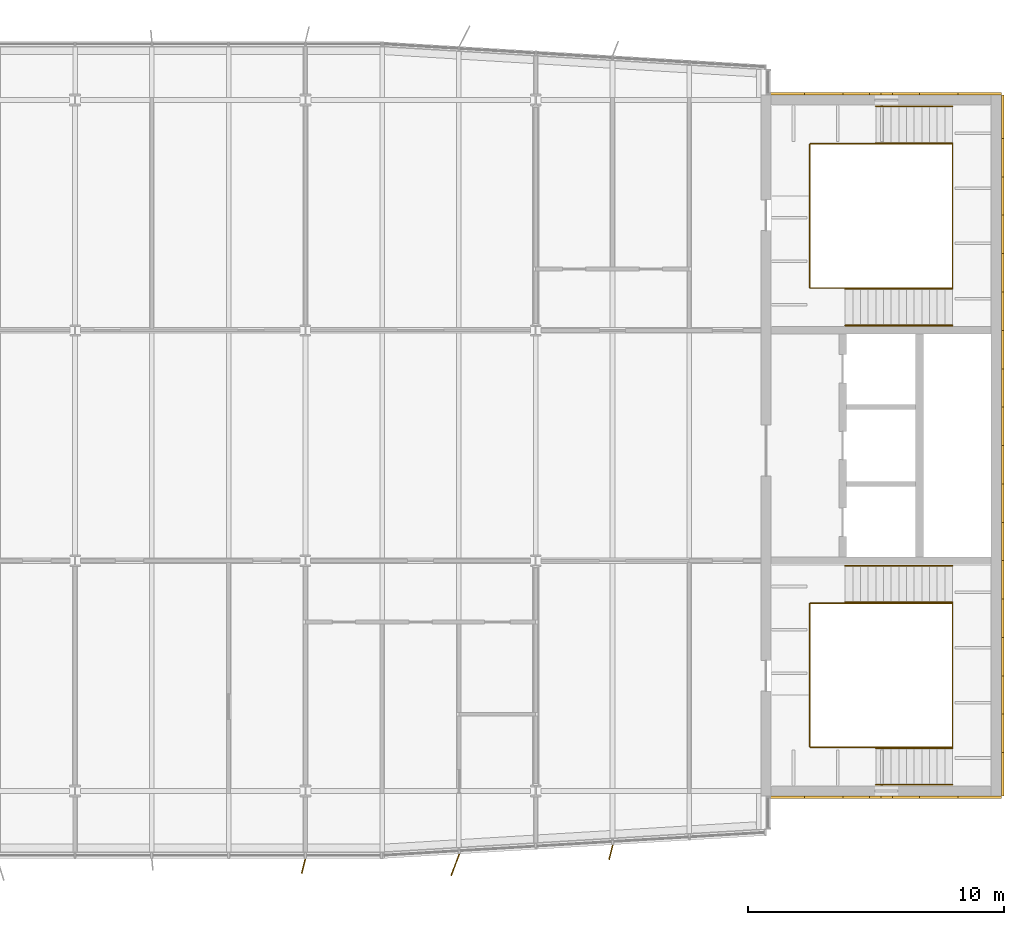
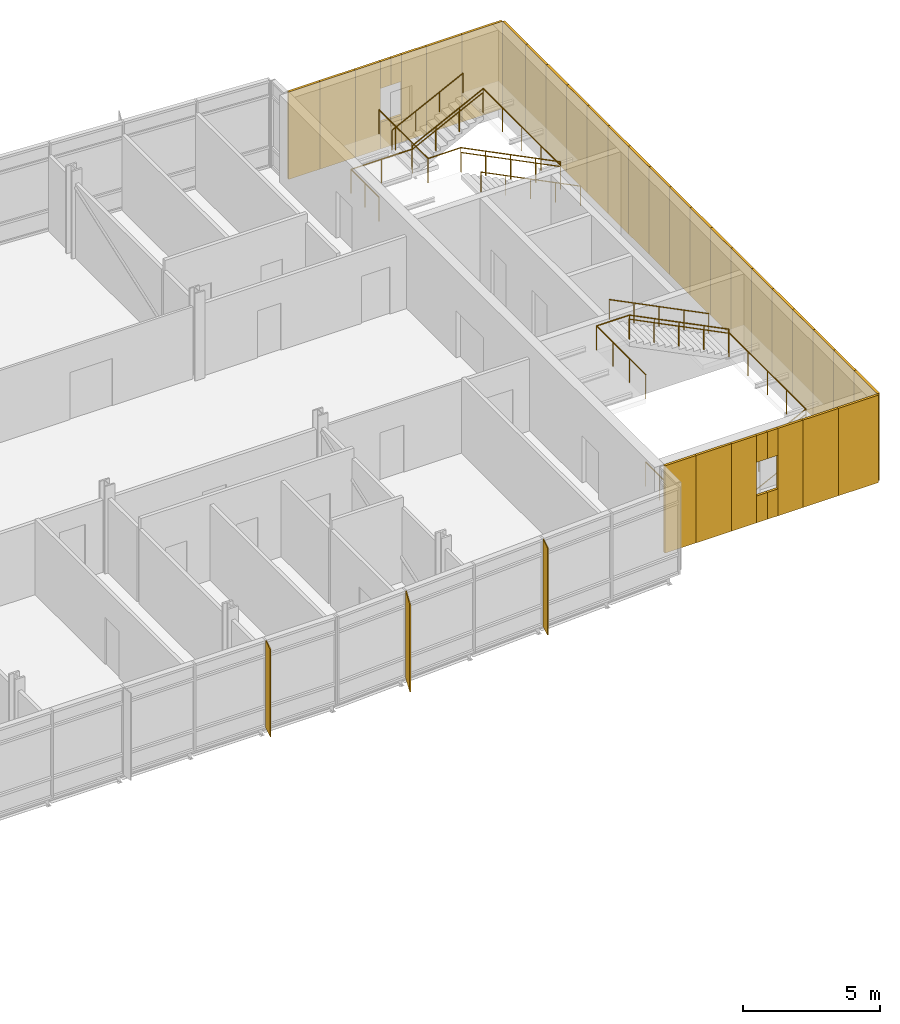
# One storey, part 16 of 17: 38 coverings, 10 railings, 3 shading devices.
"""IFC4 building model written with IfcOpenShell, lengths in metres."""

from ifc_helpers import new_model, si_unit, direction, frame, origin, origin_2d, place, context, subcontext, project, spatial, rectangle, circle, extrude, material, layer, layer_set, type_object, element, save


model = new_model("IFC4")

# Units and contexts
model_context = context("Model", 3, precision=1e-05, world=origin(), true_north=direction((0.0, 1.0)))
body_context = subcontext(model_context, "Body", "Model", "MODEL_VIEW")
ifc_project = project(units=[si_unit("LENGTHUNIT", "METRE"), si_unit("AREAUNIT", "SQUARE_METRE"), si_unit("VOLUMEUNIT", "CUBIC_METRE"), si_unit("PLANEANGLEUNIT", "RADIAN"), si_unit("MASSUNIT", "GRAM", prefix="KILO")], contexts=[model_context])

# Site, building, storey
site_placement = place(None, origin())
site = spatial("IfcSite", under=ifc_project, at=site_placement, CompositionType="ELEMENT")
building_placement = place(site_placement, origin())
building = spatial("IfcBuilding", under=site, at=building_placement, Name="Azimuth Sports and Learning Centre", CompositionType="ELEMENT")
storey_placement = place(building_placement, frame((0.0, 0.0, 36.300048828125)))
storey = spatial("IfcBuildingStorey", under=building, at=storey_placement, Name="L07", CompositionType="ELEMENT", Elevation=36.300048828125)

# Coverings
ifc_material_1 = material(Name="Cladding panel")
ifc_layer_1 = layer(ifc_material_1, 0.10009765625)
ifc_layer_set_1 = layer_set([ifc_layer_1], Name="Cladding panel")
covering_type = type_object("IfcCoveringType", Name="Cladding panel 100", PredefinedType="CLADDING", material=ifc_layer_set_1)
covering_1_placement = place(storey_placement, frame((108.840087890625, 89.75, 0.0), z_axis=(0.0, 0.0, 1.0), x_axis=(1.0, 0.0, 0.0)))
element("IfcCovering", 1, at=covering_1_placement, inside=storey, type_object=covering_type, Name="Cladding panel S-CORE E L07 1", PredefinedType="CLADDING", context=body_context, shape_type="SweptSolid", body=[
    extrude(rectangle(XDim=1.320068359375, YDim=0.10009765625, at=origin_2d()), origin(), (0.0, 0.0, 1.0), 3.89990234375),
])
covering_2_placement = place(storey_placement, frame((110.25, 89.75, 0.0), z_axis=(0.0, 0.0, 1.0), x_axis=(1.0, 0.0, 0.0)))
element("IfcCovering", 2, at=covering_2_placement, inside=storey, type_object=covering_type, Name="Cladding panel S-CORE E L07 2", PredefinedType="CLADDING", context=body_context, shape_type="SweptSolid", body=[
    extrude(rectangle(XDim=1.5, YDim=0.10009765625, at=origin_2d()), origin(), (0.0, 0.0, 1.0), 3.89990234375),
])
covering_3_placement = place(storey_placement, frame((111.52490234375, 89.75, 0.0), z_axis=(0.0, 0.0, 1.0), x_axis=(1.0, 0.0, 0.0)))
element("IfcCovering", 3, at=covering_3_placement, inside=storey, type_object=covering_type, Name="Cladding panel S-CORE E L07 3", PredefinedType="CLADDING", context=body_context, shape_type="SweptSolid", body=[
    extrude(rectangle(XDim=1.050048828125, YDim=0.10009765625, at=origin_2d()), origin(), (0.0, 0.0, 1.0), 3.89990234375),
])
for number, where, z_axis, x_axis, name in (
    (4, (112.27490234375, 89.75, 0.0), (0.0, 0.0, 1.0), (1.0, 0.0, 0.0), "Cladding panel S-CORE E L07 4"),
    (5, (112.27490234375, 89.75, 2.7001953125), (0.0, 0.0, 1.0), (1.0, 0.0, 0.0), "Cladding panel S-CORE E L07 5"),
):
    element("IfcCovering", number, at=place(storey_placement, frame(where, z_axis=z_axis, x_axis=x_axis)), inside=storey, type_object=covering_type, Name=name, PredefinedType="CLADDING", context=body_context, shape_type="SweptSolid", body=[
        extrude(rectangle(XDim=0.449951171875, YDim=0.10009765625, at=origin_2d()), origin(), (0.0, 0.0, 1.0), 1.199951171875),
    ])
covering_4_placement = place(storey_placement, frame((113.47509765625, 89.75, 0.0), z_axis=(0.0, 0.0, 1.0), x_axis=(1.0, 0.0, 0.0)))
element("IfcCovering", 6, at=covering_4_placement, inside=storey, type_object=covering_type, Name="Cladding panel S-CORE E L07 6", PredefinedType="CLADDING", context=body_context, shape_type="SweptSolid", body=[
    extrude(rectangle(XDim=1.050048828125, YDim=0.10009765625, at=origin_2d()), origin(), (0.0, 0.0, 1.0), 3.89990234375),
])
for number, where, z_axis, x_axis, name in (
    (7, (112.72509765625, 89.75, 0.0), (0.0, 0.0, 1.0), (1.0, 0.0, 0.0), "Cladding panel S-CORE E L07 7"),
    (8, (112.72509765625, 89.75, 2.7001953125), (0.0, 0.0, 1.0), (1.0, 0.0, 0.0), "Cladding panel S-CORE E L07 8"),
):
    element("IfcCovering", number, at=place(storey_placement, frame(where, z_axis=z_axis, x_axis=x_axis)), inside=storey, type_object=covering_type, Name=name, PredefinedType="CLADDING", context=body_context, shape_type="SweptSolid", body=[
        extrude(rectangle(XDim=0.449951171875, YDim=0.10009765625, at=origin_2d()), origin(), (0.0, 0.0, 1.0), 1.199951171875),
    ])
covering_5_placement = place(storey_placement, frame((114.75, 89.75, 0.0), z_axis=(0.0, 0.0, 1.0), x_axis=(1.0, 0.0, 0.0)))
element("IfcCovering", 9, at=covering_5_placement, inside=storey, type_object=covering_type, Name="Cladding panel S-CORE E L07 9", PredefinedType="CLADDING", context=body_context, shape_type="SweptSolid", body=[
    extrude(rectangle(XDim=1.5, YDim=0.10009765625, at=origin_2d()), origin(), (0.0, 0.0, 1.0), 3.89990234375),
])
for number, where, z_axis, x_axis, name in (
    (10, (116.35009765625, 89.75, 0.0), (0.0, 0.0, 1.0), (1.0, 0.0, 0.0), "Cladding panel S-CORE E L07 10"),
    (11, (117.25, 90.64990234375, 0.0), (0.0, 0.0, 1.0), (0.0, 1.0, 0.0), "Cladding panel E-CORE E L07 1"),
):
    element("IfcCovering", number, at=place(storey_placement, frame(where, z_axis=z_axis, x_axis=x_axis)), inside=storey, type_object=covering_type, Name=name, PredefinedType="CLADDING", context=body_context, shape_type="SweptSolid", body=[
        extrude(rectangle(XDim=1.699951171875, YDim=0.10009765625, at=origin_2d()), origin(), (0.0, 0.0, 1.0), 3.89990234375),
    ])
for number, where, z_axis, x_axis, name in (
    (12, (117.25, 92.25, 0.0), (0.0, 0.0, 1.0), (0.0, 1.0, 0.0), "Cladding panel E-CORE E L07 2"),
    (13, (117.25, 93.75, 0.0), (0.0, 0.0, 1.0), (0.0, 1.0, 0.0), "Cladding panel E-CORE E L07 3"),
    (14, (117.25, 95.25, 0.0), (0.0, 0.0, 1.0), (0.0, 1.0, 0.0), "Cladding panel E-CORE E L07 4"),
    (15, (117.25, 96.75, 0.0), (0.0, 0.0, 1.0), (0.0, 1.0, 0.0), "Cladding panel E-CORE E L07 5"),
    (16, (117.25, 98.25, 0.0), (0.0, 0.0, 1.0), (0.0, 1.0, 0.0), "Cladding panel E-CORE E L07 6"),
    (17, (117.25, 99.75, 0.0), (0.0, 0.0, 1.0), (0.0, 1.0, 0.0), "Cladding panel E-CORE E L07 7"),
    (18, (117.25, 101.25, 0.0), (0.0, 0.0, 1.0), (0.0, 1.0, 0.0), "Cladding panel E-CORE E L07 8"),
    (19, (117.25, 102.75, 0.0), (0.0, 0.0, 1.0), (0.0, 1.0, 0.0), "Cladding panel E-CORE E L07 9"),
    (20, (117.25, 104.25, 0.0), (0.0, 0.0, 1.0), (0.0, 1.0, 0.0), "Cladding panel E-CORE E L07 10"),
    (21, (117.25, 105.75, 0.0), (0.0, 0.0, 1.0), (0.0, 1.0, 0.0), "Cladding panel E-CORE E L07 11"),
    (22, (117.25, 107.25, 0.0), (0.0, 0.0, 1.0), (0.0, 1.0, 0.0), "Cladding panel E-CORE E L07 12"),
    (23, (117.25, 108.75, 0.0), (0.0, 0.0, 1.0), (0.0, 1.0, 0.0), "Cladding panel E-CORE E L07 13"),
    (24, (117.25, 110.25, 0.0), (0.0, 0.0, 1.0), (0.0, 1.0, 0.0), "Cladding panel E-CORE E L07 14"),
    (25, (117.25, 111.75, 0.0), (0.0, 0.0, 1.0), (0.0, 1.0, 0.0), "Cladding panel E-CORE E L07 15"),
    (26, (117.25, 113.25, 0.0), (0.0, 0.0, 1.0), (0.0, 1.0, 0.0), "Cladding panel E-CORE E L07 16"),
    (27, (117.25, 114.75, 0.0), (0.0, 0.0, 1.0), (0.0, 1.0, 0.0), "Cladding panel E-CORE E L07 17"),
):
    element("IfcCovering", number, at=place(storey_placement, frame(where, z_axis=z_axis, x_axis=x_axis)), inside=storey, type_object=covering_type, Name=name, PredefinedType="CLADDING", context=body_context, shape_type="SweptSolid", body=[
        extrude(rectangle(XDim=1.5, YDim=0.10009765625, at=origin_2d()), origin(), (0.0, 0.0, 1.0), 3.89990234375),
    ])
for number, where, z_axis, x_axis, name in (
    (28, (117.25, 116.35009765625, 0.0), (0.0, 0.0, 1.0), (0.0, 1.0, 0.0), "Cladding panel E-CORE E L07 18"),
    (29, (116.35009765625, 117.25, 0.0), (0.0, 0.0, 1.0), (-1.0, 0.0, 0.0), "Cladding panel N-CORE E L07 1"),
):
    element("IfcCovering", number, at=place(storey_placement, frame(where, z_axis=z_axis, x_axis=x_axis)), inside=storey, type_object=covering_type, Name=name, PredefinedType="CLADDING", context=body_context, shape_type="SweptSolid", body=[
        extrude(rectangle(XDim=1.699951171875, YDim=0.10009765625, at=origin_2d()), origin(), (0.0, 0.0, 1.0), 3.89990234375),
    ])
covering_6_placement = place(storey_placement, frame((114.75, 117.25, 0.0), z_axis=(0.0, 0.0, 1.0), x_axis=(-1.0, 0.0, 0.0)))
element("IfcCovering", 30, at=covering_6_placement, inside=storey, type_object=covering_type, Name="Cladding panel N-CORE E L07 2", PredefinedType="CLADDING", context=body_context, shape_type="SweptSolid", body=[
    extrude(rectangle(XDim=1.5, YDim=0.10009765625, at=origin_2d()), origin(), (0.0, 0.0, 1.0), 3.89990234375),
])
covering_7_placement = place(storey_placement, frame((113.47509765625, 117.25, 0.0), z_axis=(0.0, 0.0, 1.0), x_axis=(-1.0, 0.0, 0.0)))
element("IfcCovering", 31, at=covering_7_placement, inside=storey, type_object=covering_type, Name="Cladding panel N-CORE E L07 3", PredefinedType="CLADDING", context=body_context, shape_type="SweptSolid", body=[
    extrude(rectangle(XDim=1.050048828125, YDim=0.10009765625, at=origin_2d()), origin(), (0.0, 0.0, 1.0), 3.89990234375),
])
for number, where, z_axis, x_axis, name in (
    (32, (112.72509765625, 117.25, 0.0), (0.0, 0.0, 1.0), (-1.0, 0.0, 0.0), "Cladding panel N-CORE E L07 4"),
    (33, (112.72509765625, 117.25, 2.7001953125), (0.0, 0.0, 1.0), (-1.0, 0.0, 0.0), "Cladding panel N-CORE E L07 5"),
):
    element("IfcCovering", number, at=place(storey_placement, frame(where, z_axis=z_axis, x_axis=x_axis)), inside=storey, type_object=covering_type, Name=name, PredefinedType="CLADDING", context=body_context, shape_type="SweptSolid", body=[
        extrude(rectangle(XDim=0.449951171875, YDim=0.10009765625, at=origin_2d()), origin(), (0.0, 0.0, 1.0), 1.199951171875),
    ])
covering_8_placement = place(storey_placement, frame((111.52490234375, 117.25, 0.0), z_axis=(0.0, 0.0, 1.0), x_axis=(-1.0, 0.0, 0.0)))
element("IfcCovering", 34, at=covering_8_placement, inside=storey, type_object=covering_type, Name="Cladding panel N-CORE E L07 6", PredefinedType="CLADDING", context=body_context, shape_type="SweptSolid", body=[
    extrude(rectangle(XDim=1.050048828125, YDim=0.10009765625, at=origin_2d()), origin(), (0.0, 0.0, 1.0), 3.89990234375),
])
for number, where, z_axis, x_axis, name in (
    (35, (112.27490234375, 117.25, 0.0), (0.0, 0.0, 1.0), (-1.0, 0.0, 0.0), "Cladding panel N-CORE E L07 7"),
    (36, (112.27490234375, 117.25, 2.7001953125), (0.0, 0.0, 1.0), (-1.0, 0.0, 0.0), "Cladding panel N-CORE E L07 8"),
):
    element("IfcCovering", number, at=place(storey_placement, frame(where, z_axis=z_axis, x_axis=x_axis)), inside=storey, type_object=covering_type, Name=name, PredefinedType="CLADDING", context=body_context, shape_type="SweptSolid", body=[
        extrude(rectangle(XDim=0.449951171875, YDim=0.10009765625, at=origin_2d()), origin(), (0.0, 0.0, 1.0), 1.199951171875),
    ])
covering_9_placement = place(storey_placement, frame((110.25, 117.25, 0.0), z_axis=(0.0, 0.0, 1.0), x_axis=(-1.0, 0.0, 0.0)))
element("IfcCovering", 37, at=covering_9_placement, inside=storey, type_object=covering_type, Name="Cladding panel N-CORE E L07 9", PredefinedType="CLADDING", context=body_context, shape_type="SweptSolid", body=[
    extrude(rectangle(XDim=1.5, YDim=0.10009765625, at=origin_2d()), origin(), (0.0, 0.0, 1.0), 3.89990234375),
])
covering_10_placement = place(storey_placement, frame((108.840087890625, 117.25, 0.0), z_axis=(0.0, 0.0, 1.0), x_axis=(-1.0, 0.0, 0.0)))
element("IfcCovering", 38, at=covering_10_placement, inside=storey, type_object=covering_type, Name="Cladding panel N-CORE E L07 10", PredefinedType="CLADDING", context=body_context, shape_type="SweptSolid", body=[
    extrude(rectangle(XDim=1.320068359375, YDim=0.10009765625, at=origin_2d()), origin(), (0.0, 0.0, 1.0), 3.89990234375),
])

# Shading devices
ifc_material_2 = material(Name="Aluminium", Category="aluminium")
ifc_layer_2 = layer(ifc_material_2, 0.0400390625)
ifc_layer_set_2 = layer_set([ifc_layer_2], Name="Aluminium")
shading_device_type_1 = type_object("IfcShadingDeviceType", Name="Shading fin 600", PredefinedType="JALOUSIE", material=ifc_layer_set_2)
for number, where, z_axis, x_axis, name in (
    (39, (89.927001953125, 87.069091796875, 0.0), (0.0, 0.0, 1.0), (-0.243730896369, -0.969842899729, 0.0), "Shading fin F07-005"),
    (40, (101.939697265625, 87.60986328125, 0.0), (0.0, 0.0, 1.0), (-0.24872137434, -0.968575076051, 0.0), "Shading fin F07-007"),
):
    element("IfcShadingDevice", number, at=place(storey_placement, frame(where, z_axis=z_axis, x_axis=x_axis)), inside=storey, type_object=shading_device_type_1, Name=name, PredefinedType="JALOUSIE", context=body_context, shape_type="SweptSolid", body=[
        extrude(rectangle(XDim=0.60009765625, YDim=0.0400390625, at=origin_2d()), origin(), (0.0, 0.0, 1.0), 3.89990234375),
    ])
ifc_material_3 = material(Name="Aluminium", Category="aluminium")
ifc_layer_3 = layer(ifc_material_3, 0.0400390625)
ifc_layer_set_3 = layer_set([ifc_layer_3], Name="Aluminium")
shading_device_type_2 = type_object("IfcShadingDeviceType", Name="Shading fin 900", PredefinedType="JALOUSIE", material=ifc_layer_set_3)
shading_device_placement = place(storey_placement, frame((95.857177734375, 87.11865234375, 0.0), z_axis=(0.0, 0.0, 1.0), x_axis=(-0.349143100646, -0.937069418598, 0.0)))
element("IfcShadingDevice", 41, at=shading_device_placement, inside=storey, type_object=shading_device_type_2, Name="Shading fin F07-006", PredefinedType="JALOUSIE", context=body_context, shape_type="SweptSolid", body=[
    extrude(rectangle(XDim=0.89990234375, YDim=0.0400390625, at=origin_2d()), origin(), (0.0, 0.0, 1.0), 3.89990234375),
])

# Railings
ifc_material_4 = material(Name="Stainless steel", Category="steel")
railing_type_1 = type_object("IfcRailingType", Name="Stair guard 1100", PredefinedType="GUARDRAIL", material=ifc_material_4)
railing_1_placement = place(storey_placement, frame((109.7099609375, 93.75, 0.0)))
element("IfcRailing", 42, at=railing_1_placement, inside=storey, type_object=railing_type_1, Name="Guard E1 L07 well", PredefinedType="GUARDRAIL", context=body_context, shape_type="SweptSolid", body=[
    extrude(circle(Radius=0.02392578125, at=origin_2d()), frame((0.0, 0.0, 1.076171875), z_axis=(0.0, -1.0, 0.0), x_axis=(1.0, 0.0, 0.0)), (0.0, 0.0, 1.0), 2.0400390625),
    extrude(circle(Radius=0.02392578125, at=origin_2d()), frame((0.0, -2.0400390625, 1.076171875), z_axis=(1.0, 0.0, 0.0), x_axis=(0.0, 1.0, 0.0)), (0.0, 0.0, 1.0), 2.580078125),
    extrude(circle(Radius=0.02392578125, at=origin_2d()), frame((2.580078125, -2.0400390625, 1.076171875), z_axis=(0.0, 0.0, 1.0), x_axis=(1.0, 0.0, 0.0)), (0.0, 0.0, 1.0), 0.14990234375),
    extrude(circle(Radius=0.02392578125, at=origin_2d()), frame((2.580078125, -2.0400390625, 1.22607421875), z_axis=(0.894427191, 0.0, 0.4472135955), x_axis=(0.0, 1.0, 0.0)), (0.0, 0.0, 1.0), 3.35400390625),
    extrude(circle(Radius=0.02392578125, at=origin_2d()), frame((5.580078125, -2.0400390625, 2.72607421875), z_axis=(0.0, 1.0, 0.0), x_axis=(-1.0, 0.0, 0.0)), (0.0, 0.0, 1.0), 5.630126953125),
    extrude(circle(Radius=0.02392578125, at=origin_2d()), frame((5.580078125, 3.590087890625, 2.72607421875), z_axis=(0.0, 0.0, 1.0), x_axis=(1.0, 0.0, 0.0)), (0.0, 0.0, 1.0), 0.150146484375),
    extrude(circle(Radius=0.02392578125, at=origin_2d()), frame((5.580078125, 3.590087890625, 2.8759765625), z_axis=(-0.894437589381, 0.0, 0.447192798132), x_axis=(0.0, -1.0, 0.0)), (0.0, 0.0, 1.0), 4.695556640625),
    extrude(circle(Radius=0.02392578125, at=origin_2d()), frame((1.380126953125, 3.590087890625, 4.97607421875), z_axis=(-1.0, 0.0, 0.0), x_axis=(0.0, -1.0, 0.0)), (0.0, 0.0, 1.0), 1.380126953125),
    extrude(circle(Radius=0.02392578125, at=origin_2d()), frame((0.0, 3.590087890625, 4.97607421875), z_axis=(0.0, -1.0, 0.0), x_axis=(1.0, 0.0, 0.0)), (0.0, 0.0, 1.0), 3.590087890625),
    extrude(circle(Radius=0.01611328125, at=origin_2d()), origin(), (0.0, 0.0, 1.0), 1.052001953125),
    extrude(circle(Radius=0.01611328125, at=origin_2d()), frame((0.0, -1.02001953125, 0.0)), (0.0, 0.0, 1.0), 1.052001953125),
    extrude(circle(Radius=0.01611328125, at=origin_2d()), frame((0.0, -2.0400390625, 0.0)), (0.0, 0.0, 1.0), 1.052001953125),
    extrude(circle(Radius=0.01611328125, at=origin_2d()), frame((1.2900390625, -2.0400390625, 0.0)), (0.0, 0.0, 1.0), 1.052001953125),
    extrude(circle(Radius=0.01611328125, at=origin_2d()), frame((2.580078125, -2.0400390625, 0.0)), (0.0, 0.0, 1.0), 1.052001953125),
    extrude(circle(Radius=0.01611328125, at=origin_2d()), frame((2.580078125, -2.0400390625, 0.14990234375)), (0.0, 0.0, 1.0), 1.052001953125),
    extrude(circle(Radius=0.01611328125, at=origin_2d()), frame((3.580078125, -2.0400390625, 0.64990234375)), (0.0, 0.0, 1.0), 1.052001953125),
    extrude(circle(Radius=0.01611328125, at=origin_2d()), frame((4.580078125, -2.0400390625, 1.14990234375)), (0.0, 0.0, 1.0), 1.052001953125),
    extrude(circle(Radius=0.01611328125, at=origin_2d()), frame((5.580078125, -2.0400390625, 1.64990234375)), (0.0, 0.0, 1.0), 1.052001953125),
    extrude(circle(Radius=0.01611328125, at=origin_2d()), frame((5.580078125, -0.632568359375, 1.64990234375)), (0.0, 0.0, 1.0), 1.052001953125),
    extrude(circle(Radius=0.01611328125, at=origin_2d()), frame((5.580078125, 0.77490234375, 1.64990234375)), (0.0, 0.0, 1.0), 1.052001953125),
    extrude(circle(Radius=0.01611328125, at=origin_2d()), frame((5.580078125, 2.1826171875, 1.64990234375)), (0.0, 0.0, 1.0), 1.052001953125),
    extrude(circle(Radius=0.01611328125, at=origin_2d()), frame((5.580078125, 3.590087890625, 1.64990234375)), (0.0, 0.0, 1.0), 1.052001953125),
    extrude(circle(Radius=0.01611328125, at=origin_2d()), frame((5.580078125, 3.590087890625, 1.800048828125)), (0.0, 0.0, 1.0), 1.052001953125),
    extrude(circle(Radius=0.01611328125, at=origin_2d()), frame((4.530029296875, 3.590087890625, 2.324951171875)), (0.0, 0.0, 1.0), 1.052001953125),
    extrude(circle(Radius=0.01611328125, at=origin_2d()), frame((3.47998046875, 3.590087890625, 2.85009765625)), (0.0, 0.0, 1.0), 1.052001953125),
    extrude(circle(Radius=0.01611328125, at=origin_2d()), frame((2.43017578125, 3.590087890625, 3.375)), (0.0, 0.0, 1.0), 1.052001953125),
    extrude(circle(Radius=0.01611328125, at=origin_2d()), frame((1.380126953125, 3.590087890625, 3.89990234375)), (0.0, 0.0, 1.0), 1.052001953125),
    extrude(circle(Radius=0.01611328125, at=origin_2d()), frame((0.0, 3.590087890625, 3.89990234375)), (0.0, 0.0, 1.0), 1.052001953125),
    extrude(circle(Radius=0.01611328125, at=origin_2d()), frame((0.0, 2.393310546875, 3.89990234375)), (0.0, 0.0, 1.0), 1.052001953125),
    extrude(circle(Radius=0.01611328125, at=origin_2d()), frame((0.0, 1.19677734375, 3.89990234375)), (0.0, 0.0, 1.0), 1.052001953125),
    extrude(circle(Radius=0.01611328125, at=origin_2d()), frame((0.0, 0.0, 3.89990234375)), (0.0, 0.0, 1.0), 1.052001953125),
])
railing_2_placement = place(storey_placement, frame((109.7099609375, 113.25, 0.0)))
element("IfcRailing", 43, at=railing_2_placement, inside=storey, type_object=railing_type_1, Name="Guard E2 L07 well", PredefinedType="GUARDRAIL", context=body_context, shape_type="SweptSolid", body=[
    extrude(circle(Radius=0.02392578125, at=origin_2d()), frame((0.0, 0.0, 1.076171875), z_axis=(0.0, 1.0, 0.0), x_axis=(-1.0, 0.0, 0.0)), (0.0, 0.0, 1.0), 2.0400390625),
    extrude(circle(Radius=0.02392578125, at=origin_2d()), frame((0.0, 2.0400390625, 1.076171875), z_axis=(1.0, 0.0, 0.0), x_axis=(0.0, 1.0, 0.0)), (0.0, 0.0, 1.0), 2.580078125),
    extrude(circle(Radius=0.02392578125, at=origin_2d()), frame((2.580078125, 2.0400390625, 1.076171875), z_axis=(0.0, 0.0, 1.0), x_axis=(1.0, 0.0, 0.0)), (0.0, 0.0, 1.0), 0.14990234375),
    extrude(circle(Radius=0.02392578125, at=origin_2d()), frame((2.580078125, 2.0400390625, 1.22607421875), z_axis=(0.894427191, 0.0, 0.4472135955), x_axis=(0.0, 1.0, 0.0)), (0.0, 0.0, 1.0), 3.35400390625),
    extrude(circle(Radius=0.02392578125, at=origin_2d()), frame((5.580078125, 2.0400390625, 2.72607421875), z_axis=(0.0, -1.0, 0.0), x_axis=(1.0, 0.0, 0.0)), (0.0, 0.0, 1.0), 5.630126953125),
    extrude(circle(Radius=0.02392578125, at=origin_2d()), frame((5.580078125, -3.590087890625, 2.72607421875), z_axis=(0.0, 0.0, 1.0), x_axis=(1.0, 0.0, 0.0)), (0.0, 0.0, 1.0), 0.150146484375),
    extrude(circle(Radius=0.02392578125, at=origin_2d()), frame((5.580078125, -3.590087890625, 2.8759765625), z_axis=(-0.894437589381, 0.0, 0.447192798132), x_axis=(0.0, -1.0, 0.0)), (0.0, 0.0, 1.0), 4.695556640625),
    extrude(circle(Radius=0.02392578125, at=origin_2d()), frame((1.380126953125, -3.590087890625, 4.97607421875), z_axis=(-1.0, 0.0, 0.0), x_axis=(0.0, -1.0, 0.0)), (0.0, 0.0, 1.0), 1.380126953125),
    extrude(circle(Radius=0.02392578125, at=origin_2d()), frame((0.0, -3.590087890625, 4.97607421875), z_axis=(0.0, 1.0, 0.0), x_axis=(-1.0, 0.0, 0.0)), (0.0, 0.0, 1.0), 3.590087890625),
    extrude(circle(Radius=0.01611328125, at=origin_2d()), origin(), (0.0, 0.0, 1.0), 1.052001953125),
    extrude(circle(Radius=0.01611328125, at=origin_2d()), frame((0.0, 1.02001953125, 0.0)), (0.0, 0.0, 1.0), 1.052001953125),
    extrude(circle(Radius=0.01611328125, at=origin_2d()), frame((0.0, 2.0400390625, 0.0)), (0.0, 0.0, 1.0), 1.052001953125),
    extrude(circle(Radius=0.01611328125, at=origin_2d()), frame((1.2900390625, 2.0400390625, 0.0)), (0.0, 0.0, 1.0), 1.052001953125),
    extrude(circle(Radius=0.01611328125, at=origin_2d()), frame((2.580078125, 2.0400390625, 0.0)), (0.0, 0.0, 1.0), 1.052001953125),
    extrude(circle(Radius=0.01611328125, at=origin_2d()), frame((2.580078125, 2.0400390625, 0.14990234375)), (0.0, 0.0, 1.0), 1.052001953125),
    extrude(circle(Radius=0.01611328125, at=origin_2d()), frame((3.580078125, 2.0400390625, 0.64990234375)), (0.0, 0.0, 1.0), 1.052001953125),
    extrude(circle(Radius=0.01611328125, at=origin_2d()), frame((4.580078125, 2.0400390625, 1.14990234375)), (0.0, 0.0, 1.0), 1.052001953125),
    extrude(circle(Radius=0.01611328125, at=origin_2d()), frame((5.580078125, 2.0400390625, 1.64990234375)), (0.0, 0.0, 1.0), 1.052001953125),
    extrude(circle(Radius=0.01611328125, at=origin_2d()), frame((5.580078125, 0.632568359375, 1.64990234375)), (0.0, 0.0, 1.0), 1.052001953125),
    extrude(circle(Radius=0.01611328125, at=origin_2d()), frame((5.580078125, -0.77490234375, 1.64990234375)), (0.0, 0.0, 1.0), 1.052001953125),
    extrude(circle(Radius=0.01611328125, at=origin_2d()), frame((5.580078125, -2.1826171875, 1.64990234375)), (0.0, 0.0, 1.0), 1.052001953125),
    extrude(circle(Radius=0.01611328125, at=origin_2d()), frame((5.580078125, -3.590087890625, 1.64990234375)), (0.0, 0.0, 1.0), 1.052001953125),
    extrude(circle(Radius=0.01611328125, at=origin_2d()), frame((5.580078125, -3.590087890625, 1.800048828125)), (0.0, 0.0, 1.0), 1.052001953125),
    extrude(circle(Radius=0.01611328125, at=origin_2d()), frame((4.530029296875, -3.590087890625, 2.324951171875)), (0.0, 0.0, 1.0), 1.052001953125),
    extrude(circle(Radius=0.01611328125, at=origin_2d()), frame((3.47998046875, -3.590087890625, 2.85009765625)), (0.0, 0.0, 1.0), 1.052001953125),
    extrude(circle(Radius=0.01611328125, at=origin_2d()), frame((2.43017578125, -3.590087890625, 3.375)), (0.0, 0.0, 1.0), 1.052001953125),
    extrude(circle(Radius=0.01611328125, at=origin_2d()), frame((1.380126953125, -3.590087890625, 3.89990234375)), (0.0, 0.0, 1.0), 1.052001953125),
    extrude(circle(Radius=0.01611328125, at=origin_2d()), frame((0.0, -3.590087890625, 3.89990234375)), (0.0, 0.0, 1.0), 1.052001953125),
    extrude(circle(Radius=0.01611328125, at=origin_2d()), frame((0.0, -2.393310546875, 3.89990234375)), (0.0, 0.0, 1.0), 1.052001953125),
    extrude(circle(Radius=0.01611328125, at=origin_2d()), frame((0.0, -1.19677734375, 3.89990234375)), (0.0, 0.0, 1.0), 1.052001953125),
    extrude(circle(Radius=0.01611328125, at=origin_2d()), frame((0.0, 0.0, 3.89990234375)), (0.0, 0.0, 1.0), 1.052001953125),
])
ifc_material_5 = material(Name="Stainless steel", Category="steel")
railing_type_2 = type_object("IfcRailingType", Name="Stair handrail 42", PredefinedType="HANDRAIL", material=ifc_material_5)
for number, where, name in (
    (44, (112.2900390625, 91.679931640625, 0.14990234375), "Handrail E1 L07 flight 1 inner"),
    (45, (112.2900390625, 90.239990234375, 0.14990234375), "Handrail E1 L07 flight 1 outer"),
):
    element("IfcRailing", number, at=place(storey_placement, frame(where)), inside=storey, type_object=railing_type_2, Name=name, PredefinedType="HANDRAIL", context=body_context, shape_type="SweptSolid", body=[
        extrude(circle(Radius=0.02099609375, at=origin_2d()), frame((0.0, 0.0, 0.87890625), z_axis=(0.894427191, 0.0, 0.4472135955), x_axis=(0.0, 1.0, 0.0)), (0.0, 0.0, 1.0), 3.35400390625),
        extrude(circle(Radius=0.01611328125, at=origin_2d()), origin(), (0.0, 0.0, 1.0), 0.85791015625),
        extrude(circle(Radius=0.01611328125, at=origin_2d()), frame((1.0, 0.0, 0.5)), (0.0, 0.0, 1.0), 0.85791015625),
        extrude(circle(Radius=0.01611328125, at=origin_2d()), frame((2.0, 0.0, 1.0)), (0.0, 0.0, 1.0), 0.85791015625),
        extrude(circle(Radius=0.01611328125, at=origin_2d()), frame((3.0, 0.0, 1.5)), (0.0, 0.0, 1.0), 0.85791015625),
    ])
for number, where, name in (
    (46, (115.2900390625, 97.3701171875, 1.800048828125), "Handrail E1 L07 flight 2 inner"),
    (47, (115.2900390625, 98.81005859375, 1.800048828125), "Handrail E1 L07 flight 2 outer"),
):
    element("IfcRailing", number, at=place(storey_placement, frame(where)), inside=storey, type_object=railing_type_2, Name=name, PredefinedType="HANDRAIL", context=body_context, shape_type="SweptSolid", body=[
        extrude(circle(Radius=0.02099609375, at=origin_2d()), frame((0.0, 0.0, 0.87890625), z_axis=(-0.894437589381, 0.0, 0.447192798132), x_axis=(0.0, -1.0, 0.0)), (0.0, 0.0, 1.0), 4.695556640625),
        extrude(circle(Radius=0.01611328125, at=origin_2d()), origin(), (0.0, 0.0, 1.0), 0.85791015625),
        extrude(circle(Radius=0.01611328125, at=origin_2d()), frame((-1.050048828125, 0.0, 0.52490234375)), (0.0, 0.0, 1.0), 0.85791015625),
        extrude(circle(Radius=0.01611328125, at=origin_2d()), frame((-2.10009765625, 0.0, 1.0498046875)), (0.0, 0.0, 1.0), 0.85791015625),
        extrude(circle(Radius=0.01611328125, at=origin_2d()), frame((-3.14990234375, 0.0, 1.574951171875)), (0.0, 0.0, 1.0), 0.85791015625),
        extrude(circle(Radius=0.01611328125, at=origin_2d()), frame((-4.199951171875, 0.0, 2.099853515625)), (0.0, 0.0, 1.0), 0.85791015625),
    ])
for number, where, name in (
    (48, (112.2900390625, 115.320068359375, 0.14990234375), "Handrail E2 L07 flight 1 inner"),
    (49, (112.2900390625, 116.760009765625, 0.14990234375), "Handrail E2 L07 flight 1 outer"),
):
    element("IfcRailing", number, at=place(storey_placement, frame(where)), inside=storey, type_object=railing_type_2, Name=name, PredefinedType="HANDRAIL", context=body_context, shape_type="SweptSolid", body=[
        extrude(circle(Radius=0.02099609375, at=origin_2d()), frame((0.0, 0.0, 0.87890625), z_axis=(0.894427191, 0.0, 0.4472135955), x_axis=(0.0, 1.0, 0.0)), (0.0, 0.0, 1.0), 3.35400390625),
        extrude(circle(Radius=0.01611328125, at=origin_2d()), origin(), (0.0, 0.0, 1.0), 0.85791015625),
        extrude(circle(Radius=0.01611328125, at=origin_2d()), frame((1.0, 0.0, 0.5)), (0.0, 0.0, 1.0), 0.85791015625),
        extrude(circle(Radius=0.01611328125, at=origin_2d()), frame((2.0, 0.0, 1.0)), (0.0, 0.0, 1.0), 0.85791015625),
        extrude(circle(Radius=0.01611328125, at=origin_2d()), frame((3.0, 0.0, 1.5)), (0.0, 0.0, 1.0), 0.85791015625),
    ])
for number, where, name in (
    (50, (115.2900390625, 109.6298828125, 1.800048828125), "Handrail E2 L07 flight 2 inner"),
    (51, (115.2900390625, 108.18994140625, 1.800048828125), "Handrail E2 L07 flight 2 outer"),
):
    element("IfcRailing", number, at=place(storey_placement, frame(where)), inside=storey, type_object=railing_type_2, Name=name, PredefinedType="HANDRAIL", context=body_context, shape_type="SweptSolid", body=[
        extrude(circle(Radius=0.02099609375, at=origin_2d()), frame((0.0, 0.0, 0.87890625), z_axis=(-0.894437589381, 0.0, 0.447192798132), x_axis=(0.0, -1.0, 0.0)), (0.0, 0.0, 1.0), 4.695556640625),
        extrude(circle(Radius=0.01611328125, at=origin_2d()), origin(), (0.0, 0.0, 1.0), 0.85791015625),
        extrude(circle(Radius=0.01611328125, at=origin_2d()), frame((-1.050048828125, 0.0, 0.52490234375)), (0.0, 0.0, 1.0), 0.85791015625),
        extrude(circle(Radius=0.01611328125, at=origin_2d()), frame((-2.10009765625, 0.0, 1.0498046875)), (0.0, 0.0, 1.0), 0.85791015625),
        extrude(circle(Radius=0.01611328125, at=origin_2d()), frame((-3.14990234375, 0.0, 1.574951171875)), (0.0, 0.0, 1.0), 0.85791015625),
        extrude(circle(Radius=0.01611328125, at=origin_2d()), frame((-4.199951171875, 0.0, 2.099853515625)), (0.0, 0.0, 1.0), 0.85791015625),
    ])

save(model, "model.ifc")
